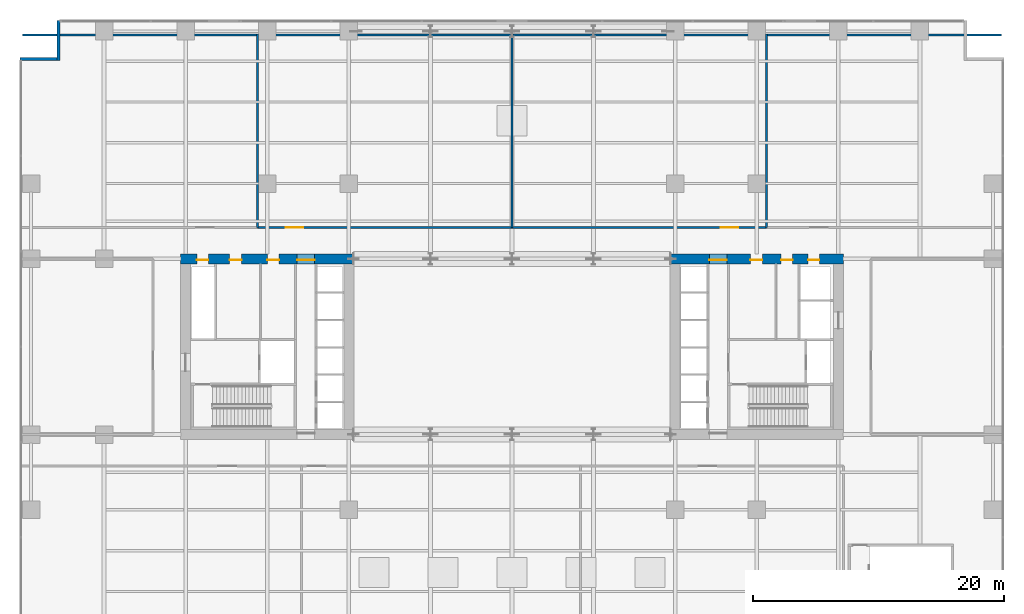
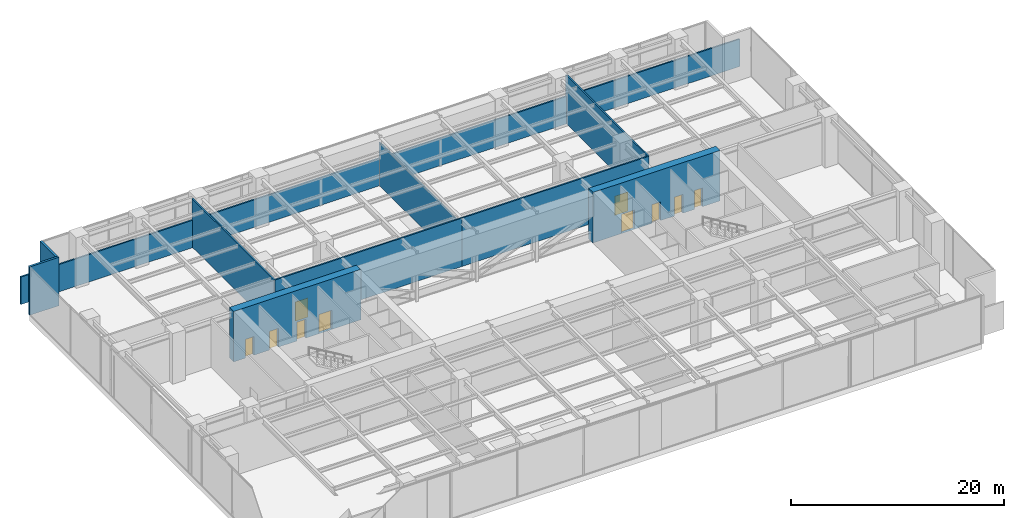
# One storey, part 21 of 25: 10 doors, 10 walls, 10 openings.
"""IFC4 building model written with IfcOpenShell, lengths in metres."""

from ifc_helpers import new_model, si_unit, direction, frame, frame_2d, origin, place, context, subcontext, project, spatial, rectangle, extrude, material, layer, layer_set, type_object, element, fill, save


model = new_model("IFC4")

# Units and contexts
model_context = context("Model", 3, precision=1e-05, world=origin(), true_north=direction((0.0, 1.0)))
body_context = subcontext(model_context, "Body", "Model", "MODEL_VIEW")
ifc_project = project(units=[si_unit("LENGTHUNIT", "METRE"), si_unit("AREAUNIT", "SQUARE_METRE"), si_unit("VOLUMEUNIT", "CUBIC_METRE"), si_unit("PLANEANGLEUNIT", "RADIAN"), si_unit("MASSUNIT", "GRAM", prefix="KILO")], contexts=[model_context])

# Site, building, storey
site_placement = place(None, origin())
site = spatial("IfcSite", under=ifc_project, at=site_placement, CompositionType="ELEMENT")
building_placement = place(site_placement, origin())
building = spatial("IfcBuilding", under=site, at=building_placement, Name="Putna Gate Headquarters", CompositionType="ELEMENT")
storey_placement = place(building_placement, frame((0.0, 0.0, 22.0)))
storey = spatial("IfcBuildingStorey", under=building, at=storey_placement, Name="L04", CompositionType="ELEMENT", Elevation=22.0)

# Wall, openings, doors
ifc_material_1 = material(Name="Concrete C60/75", Category="concrete")
ifc_layer_1 = layer(ifc_material_1, 0.800048828125)
ifc_layer_set_1 = layer_set([ifc_layer_1], Name="Concrete C60/75")
wall_type_1 = type_object("IfcWallType", Name="WALL-CORE-800", PredefinedType="SHEAR", material=ifc_layer_set_1)
wall_1_placement = place(storey_placement, frame((12.60009765625, 33.0, 0.0), z_axis=(0.0, 0.0, 1.0), x_axis=(1.0, 0.0, 0.0)))
wall_1 = element("IfcWall", 1, at=wall_1_placement, inside=storey, type_object=wall_type_1, Name="L04 WC Split Core Shear Wall N", PredefinedType="SHEAR", context=body_context, shape_type="SweptSolid", body=[
    extrude(rectangle(XDim=13.7998046875, YDim=0.800048828125, at=frame_2d((6.89990234375, 0.0))), origin(), (0.0, 0.0, 1.0), 5.800048828125),
])
opening_1_placement = place(wall_1_placement, frame((1.300048828125, 0.0, 0.0)))
opening_1 = element("IfcOpeningElement", 2, at=opening_1_placement, cuts=wall_1, Name="Opening RD-90", PredefinedType="OPENING", context=body_context, shape_type="SweptSolid", body=[
    extrude(rectangle(XDim=0.89990234375, YDim=2.14990234375, at=frame_2d((0.449951171875, 1.074951171875))), frame((0.0, 0.409912109375, 0.0), z_axis=(0.0, -1.0, 0.0), x_axis=(1.0, 0.0, 0.0)), (0.0, 0.0, 1.0), 0.820068359375),
])
opening_2_placement = place(wall_1_placement, frame((3.89990234375, 0.0, 0.0)))
opening_2 = element("IfcOpeningElement", 3, at=opening_2_placement, cuts=wall_1, Name="Opening IDS-95", PredefinedType="OPENING", context=body_context, shape_type="SweptSolid", body=[
    extrude(rectangle(XDim=0.949951171875, YDim=2.14990234375, at=frame_2d((0.47509765625, 1.074951171875))), frame((0.0, 0.409912109375, 0.0), z_axis=(0.0, -1.0, 0.0), x_axis=(1.0, 0.0, 0.0)), (0.0, 0.0, 1.0), 0.820068359375),
])
opening_3_placement = place(wall_1_placement, frame((6.89990234375, 0.0, 0.0)))
opening_3 = element("IfcOpeningElement", 4, at=opening_3_placement, cuts=wall_1, Name="Opening IDS-95", PredefinedType="OPENING", context=body_context, shape_type="SweptSolid", body=[
    extrude(rectangle(XDim=0.949951171875, YDim=2.14990234375, at=frame_2d((0.47509765625, 1.074951171875))), frame((0.0, 0.409912109375, 0.0), z_axis=(0.0, -1.0, 0.0), x_axis=(1.0, 0.0, 0.0)), (0.0, 0.0, 1.0), 0.820068359375),
])
opening_4_placement = place(wall_1_placement, frame((9.280029296875, 0.0, 0.0)))
opening_4 = element("IfcOpeningElement", 5, at=opening_4_placement, cuts=wall_1, Name="Opening FDD-140", PredefinedType="OPENING", context=body_context, shape_type="SweptSolid", body=[
    extrude(rectangle(XDim=1.39990234375, YDim=2.199951171875, at=frame_2d((0.699951171875, 1.10009765625))), frame((0.0, 0.409912109375, 0.0), z_axis=(0.0, -1.0, 0.0), x_axis=(1.0, 0.0, 0.0)), (0.0, 0.0, 1.0), 0.820068359375),
])
ifc_material_2 = material(Name="Double steel fire door", Category="steel")
door_type_1 = type_object("IfcDoorType", Name="DOOR-FIRE-DBL-1400", OperationType="DOUBLE_DOOR_SINGLE_SWING", PredefinedType="DOOR", material=ifc_material_2)
door_1_placement = place(opening_4_placement, origin())
door_1 = element("IfcDoor", 6, at=door_1_placement, inside=storey, type_object=door_type_1, Name="L04 West Lift Lobby North Door", OperationType="DOUBLE_DOOR_SINGLE_SWING", OverallHeight=2.199951171875, OverallWidth=1.39990234375, PredefinedType="DOOR", context=body_context, shape_type="SweptSolid", body=[
    extrude(rectangle(XDim=1.39990234375, YDim=2.199951171875, at=frame_2d((0.699951171875, 1.10009765625))), frame((0.0, -0.0751953125, 0.0), z_axis=(0.0, -1.0, 0.0), x_axis=(1.0, 0.0, 0.0)), (0.0, 0.0, 1.0), 0.050048828125),
])
fill(opening_4, door_1)
ifc_material_3 = material(Name="Fire-rated service timber door", Category="wood")
door_type_2 = type_object("IfcDoorType", Name="DOOR-INT-950", OperationType="NOTDEFINED", PredefinedType="DOOR", material=ifc_material_3)
door_2_placement = place(opening_2_placement, origin())
door_2 = element("IfcDoor", 7, at=door_2_placement, inside=storey, type_object=door_type_2, Name="L04 Cleaner Store Door", OperationType="SINGLE_SWING_LEFT", OverallHeight=2.14990234375, OverallWidth=0.949951171875, PredefinedType="DOOR", context=body_context, shape_type="SweptSolid", body=[
    extrude(rectangle(XDim=0.949951171875, YDim=2.14990234375, at=frame_2d((0.47509765625, 1.074951171875))), frame((0.0, -0.0751953125, 0.0), z_axis=(0.0, -1.0, 0.0), x_axis=(1.0, 0.0, 0.0)), (0.0, 0.0, 1.0), 0.050048828125),
])
fill(opening_2, door_2)
door_3_placement = place(opening_3_placement, origin())
door_3 = element("IfcDoor", 8, at=door_3_placement, inside=storey, type_object=door_type_2, Name="L04 Comms Plant Door", OperationType="SINGLE_SWING_RIGHT", OverallHeight=2.14990234375, OverallWidth=0.949951171875, PredefinedType="DOOR", context=body_context, shape_type="SweptSolid", body=[
    extrude(rectangle(XDim=0.949951171875, YDim=2.14990234375, at=frame_2d((0.47509765625, 1.074951171875))), frame((0.0, -0.0751953125, 0.0), z_axis=(0.0, -1.0, 0.0), x_axis=(1.0, 0.0, 0.0)), (0.0, 0.0, 1.0), 0.050048828125),
])
fill(opening_3, door_3)
ifc_material_4 = material(Name="Steel riser access fire door", Category="steel")
door_type_3 = type_object("IfcDoorType", Name="DOOR-RISER-900", OperationType="NOTDEFINED", PredefinedType="DOOR", material=ifc_material_4)
door_4_placement = place(opening_1_placement, origin())
door_4 = element("IfcDoor", 9, at=door_4_placement, inside=storey, type_object=door_type_3, Name="L04 West Riser Access Door", OperationType="SINGLE_SWING_RIGHT", OverallHeight=2.14990234375, OverallWidth=0.89990234375, PredefinedType="DOOR", context=body_context, shape_type="SweptSolid", body=[
    extrude(rectangle(XDim=0.89990234375, YDim=2.14990234375, at=frame_2d((0.449951171875, 1.074951171875))), frame((0.0, -0.0751953125, 0.0), z_axis=(0.0, -1.0, 0.0), x_axis=(1.0, 0.0, 0.0)), (0.0, 0.0, 1.0), 0.050048828125),
])
fill(opening_1, door_4)

wall_2_placement = place(storey_placement, frame((51.60009765625, 33.0, 0.0), z_axis=(0.0, 0.0, 1.0), x_axis=(1.0, 0.0, 0.0)))
wall_2 = element("IfcWall", 10, at=wall_2_placement, inside=storey, type_object=wall_type_1, Name="L04 EC Split Core Shear Wall N", PredefinedType="SHEAR", context=body_context, shape_type="SweptSolid", body=[
    extrude(rectangle(XDim=13.7998046875, YDim=0.800048828125, at=frame_2d((6.89990234375, 0.0))), origin(), (0.0, 0.0, 1.0), 5.800048828125),
])
opening_5_placement = place(wall_2_placement, frame((3.1201171875, 0.0, 0.0)))
opening_5 = element("IfcOpeningElement", 11, at=opening_5_placement, cuts=wall_2, Name="Opening FDD-140", PredefinedType="OPENING", context=body_context, shape_type="SweptSolid", body=[
    extrude(rectangle(XDim=1.39990234375, YDim=2.199951171875, at=frame_2d((0.699951171875, 1.10009765625))), frame((0.0, 0.409912109375, 0.0), z_axis=(0.0, -1.0, 0.0), x_axis=(1.0, 0.0, 0.0)), (0.0, 0.0, 1.0), 0.820068359375),
])
opening_6_placement = place(wall_2_placement, frame((11.0, 0.0, 0.0)))
opening_6 = element("IfcOpeningElement", 12, at=opening_6_placement, cuts=wall_2, Name="Opening RD-90", PredefinedType="OPENING", context=body_context, shape_type="SweptSolid", body=[
    extrude(rectangle(XDim=0.89990234375, YDim=2.14990234375, at=frame_2d((0.449951171875, 1.074951171875))), frame((0.0, 0.409912109375, 0.0), z_axis=(0.0, -1.0, 0.0), x_axis=(1.0, 0.0, 0.0)), (0.0, 0.0, 1.0), 0.820068359375),
])
opening_7_placement = place(wall_2_placement, frame((6.39990234375, 0.0, 0.0)))
opening_7 = element("IfcOpeningElement", 13, at=opening_7_placement, cuts=wall_2, Name="Opening IDS-95", PredefinedType="OPENING", context=body_context, shape_type="SweptSolid", body=[
    extrude(rectangle(XDim=0.949951171875, YDim=2.14990234375, at=frame_2d((0.47509765625, 1.074951171875))), frame((0.0, 0.409912109375, 0.0), z_axis=(0.0, -1.0, 0.0), x_axis=(1.0, 0.0, 0.0)), (0.0, 0.0, 1.0), 0.820068359375),
])
opening_8_placement = place(wall_2_placement, frame((8.85009765625, 0.0, 0.0)))
opening_8 = element("IfcOpeningElement", 14, at=opening_8_placement, cuts=wall_2, Name="Opening IDS-90", PredefinedType="OPENING", context=body_context, shape_type="SweptSolid", body=[
    extrude(rectangle(XDim=0.89990234375, YDim=2.14990234375, at=frame_2d((0.449951171875, 1.074951171875))), frame((0.0, 0.409912109375, 0.0), z_axis=(0.0, -1.0, 0.0), x_axis=(1.0, 0.0, 0.0)), (0.0, 0.0, 1.0), 0.820068359375),
])
door_5_placement = place(opening_5_placement, origin())
door_5 = element("IfcDoor", 15, at=door_5_placement, inside=storey, type_object=door_type_1, Name="L04 East Lift Lobby North Door", OperationType="DOUBLE_DOOR_SINGLE_SWING", OverallHeight=2.199951171875, OverallWidth=1.39990234375, PredefinedType="DOOR", context=body_context, shape_type="SweptSolid", body=[
    extrude(rectangle(XDim=1.39990234375, YDim=2.199951171875, at=frame_2d((0.699951171875, 1.10009765625))), frame((0.0, -0.0751953125, 0.0), z_axis=(0.0, -1.0, 0.0), x_axis=(1.0, 0.0, 0.0)), (0.0, 0.0, 1.0), 0.050048828125),
])
fill(opening_5, door_5)
ifc_material_5 = material(Name="Fire-rated utility door")
door_type_4 = type_object("IfcDoorType", Name="DOOR-INT-900", OperationType="NOTDEFINED", PredefinedType="DOOR", material=ifc_material_5)
door_6_placement = place(opening_8_placement, origin())
door_6 = element("IfcDoor", 16, at=door_6_placement, inside=storey, type_object=door_type_4, Name="L04 Electrical Plant Door", OperationType="SINGLE_SWING_LEFT", OverallHeight=2.14990234375, OverallWidth=0.89990234375, PredefinedType="DOOR", context=body_context, shape_type="SweptSolid", body=[
    extrude(rectangle(XDim=0.89990234375, YDim=2.14990234375, at=frame_2d((0.449951171875, 1.074951171875))), frame((0.0, -0.0751953125, 0.0), z_axis=(0.0, -1.0, 0.0), x_axis=(1.0, 0.0, 0.0)), (0.0, 0.0, 1.0), 0.050048828125),
])
fill(opening_8, door_6)
door_7_placement = place(opening_7_placement, origin())
door_7 = element("IfcDoor", 17, at=door_7_placement, inside=storey, type_object=door_type_2, Name="L04 East Store Door", OperationType="SINGLE_SWING_RIGHT", OverallHeight=2.14990234375, OverallWidth=0.949951171875, PredefinedType="DOOR", context=body_context, shape_type="SweptSolid", body=[
    extrude(rectangle(XDim=0.949951171875, YDim=2.14990234375, at=frame_2d((0.47509765625, 1.074951171875))), frame((0.0, -0.0751953125, 0.0), z_axis=(0.0, -1.0, 0.0), x_axis=(1.0, 0.0, 0.0)), (0.0, 0.0, 1.0), 0.050048828125),
])
fill(opening_7, door_7)
door_8_placement = place(opening_6_placement, origin())
door_8 = element("IfcDoor", 18, at=door_8_placement, inside=storey, type_object=door_type_3, Name="L04 East Riser Access Door", OperationType="SINGLE_SWING_LEFT", OverallHeight=2.14990234375, OverallWidth=0.89990234375, PredefinedType="DOOR", context=body_context, shape_type="SweptSolid", body=[
    extrude(rectangle(XDim=0.89990234375, YDim=2.14990234375, at=frame_2d((0.449951171875, 1.074951171875))), frame((0.0, -0.0751953125, 0.0), z_axis=(0.0, -1.0, 0.0), x_axis=(1.0, 0.0, 0.0)), (0.0, 0.0, 1.0), 0.050048828125),
])
fill(opening_6, door_8)

# Walls
ifc_material_6 = material(Name="Precast concrete C40/50", Category="concrete")
ifc_layer_2 = layer(ifc_material_6, 0.239990234375)
ifc_layer_set_2 = layer_set([ifc_layer_2], Name="Precast concrete C40/50")
wall_type_2 = type_object("IfcWallType", Name="WALL-EXT-TERR-240", PredefinedType="STANDARD", material=ifc_layer_set_2)
for number, where, z_axis, x_axis, name in (
    (19, (2.8798828125, 48.800048828125, 0.0), (0.0, 0.0, 1.0), (0.0, 1.0, 0.0), "L04 Corner Notch Return Wall NW-V"),
    (20, (-0.199951171875, 48.919921875, 0.0), (0.0, 0.0, 1.0), (1.0, 0.0, 0.0), "L04 Corner Notch Return Wall NW-H"),
):
    element("IfcWall", number, at=place(storey_placement, frame(where, z_axis=z_axis, x_axis=x_axis)), inside=storey, type_object=wall_type_2, Name=name, PredefinedType="STANDARD", context=body_context, shape_type="SweptSolid", body=[
        extrude(rectangle(XDim=3.199951171875, YDim=0.239990234375, at=frame_2d((1.60009765625, 0.0))), origin(), (0.0, 0.0, 1.0), 5.550048828125),
    ])
ifc_material_7 = material(Name="Concrete C40/50", Category="concrete")
ifc_layer_3 = layer(ifc_material_7, 0.159912109375)
ifc_layer_set_3 = layer_set([ifc_layer_3], Name="Concrete C40/50")
wall_type_3 = type_object("IfcWallType", Name="WALL-SHAFT-160", PredefinedType="STANDARD", material=ifc_layer_set_3)
wall_3_placement = place(storey_placement, frame((-0.02001953125, 50.830078125, 0.0), z_axis=(0.0, 0.0, 1.0), x_axis=(1.0, 0.0, 0.0)))
element("IfcWall", 21, at=wall_3_placement, inside=storey, type_object=wall_type_3, Name="L04 Interior Wall PART-L04-BELT-N", PredefinedType="STANDARD", context=body_context, shape_type="SweptSolid", body=[
    extrude(rectangle(XDim=78.0400390625, YDim=0.159912109375, at=frame_2d((39.02001953125, 0.0))), origin(), (0.0, 0.0, 1.0), 3.14990234375),
])
wall_4_placement = place(storey_placement, frame((18.709716796875, 35.5, 0.0), z_axis=(0.0, 0.0, 1.0), x_axis=(0.0, 1.0, 0.0)))
element("IfcWall", 22, at=wall_4_placement, inside=storey, type_object=wall_type_3, Name="L04 Interior Wall PART-L04-PN-DIV1", PredefinedType="STANDARD", context=body_context, shape_type="SweptSolid", body=[
    extrude(rectangle(XDim=15.409912109375, YDim=0.159912109375, at=frame_2d((7.705078125, 0.0))), origin(), (0.0, 0.0, 1.0), 5.550048828125),
])
wall_5_placement = place(storey_placement, frame((39.0, 35.5, 0.0), z_axis=(0.0, 0.0, 1.0), x_axis=(0.0, 1.0, 0.0)))
element("IfcWall", 23, at=wall_5_placement, inside=storey, type_object=wall_type_3, Name="L04 Interior Wall PART-L04-PN-DIV2", PredefinedType="STANDARD", context=body_context, shape_type="SweptSolid", body=[
    extrude(rectangle(XDim=15.409912109375, YDim=0.159912109375, at=frame_2d((7.705078125, 0.0))), origin(), (0.0, 0.0, 1.0), 4.89990234375),
])

# Wall, opening, door
wall_6_placement = place(storey_placement, frame((18.709716796875, 35.5, 0.0), z_axis=(0.0, 0.0, 1.0), x_axis=(1.0, 0.0, 0.0)))
wall_6 = element("IfcWall", 24, at=wall_6_placement, inside=storey, type_object=wall_type_3, Name="L04 Interior Wall PART-L04-PN-CW2", PredefinedType="STANDARD", context=body_context, shape_type="SweptSolid", body=[
    extrude(rectangle(XDim=20.290283203125, YDim=0.159912109375, at=frame_2d((10.14501953125, 0.0))), origin(), (0.0, 0.0, 1.0), 5.550048828125),
])
opening_9_placement = place(wall_6_placement, frame((2.2451171875, 0.0, 0.0)))
opening_9 = element("IfcOpeningElement", 25, at=opening_9_placement, cuts=wall_6, Name="Opening FDD-140", PredefinedType="OPENING", context=body_context, shape_type="SweptSolid", body=[
    extrude(rectangle(XDim=1.39990234375, YDim=2.199951171875, at=frame_2d((0.699951171875, 1.10009765625))), frame((0.0, 0.08984375, 0.0), z_axis=(0.0, -1.0, 0.0), x_axis=(1.0, 0.0, 0.0)), (0.0, 0.0, 1.0), 0.179931640625),
])
door_9_placement = place(opening_9_placement, origin())
door_9 = element("IfcDoor", 26, at=door_9_placement, inside=storey, type_object=door_type_1, Name="L04 Chiller and Heat Exchanger Plant Room Door", OperationType="DOUBLE_DOOR_SINGLE_SWING", OverallHeight=2.199951171875, OverallWidth=1.39990234375, PredefinedType="DOOR", context=body_context, shape_type="SweptSolid", body=[
    extrude(rectangle(XDim=1.39990234375, YDim=2.199951171875, at=frame_2d((0.699951171875, 1.10009765625))), frame((0.0, 0.02490234375, 0.0), z_axis=(0.0, -1.0, 0.0), x_axis=(1.0, 0.0, 0.0)), (0.0, 0.0, 1.0), 0.050048828125),
])
fill(opening_9, door_9)

# Wall
wall_7_placement = place(storey_placement, frame((59.290283203125, 35.5, 0.0), z_axis=(0.0, 0.0, 1.0), x_axis=(0.0, 1.0, 0.0)))
element("IfcWall", 27, at=wall_7_placement, inside=storey, type_object=wall_type_3, Name="L04 Interior Wall PART-L04-PN-DIV3", PredefinedType="STANDARD", context=body_context, shape_type="SweptSolid", body=[
    extrude(rectangle(XDim=15.409912109375, YDim=0.159912109375, at=frame_2d((7.705078125, 0.0))), origin(), (0.0, 0.0, 1.0), 5.550048828125),
])

# Wall, opening, door
wall_8_placement = place(storey_placement, frame((39.0, 35.5, 0.0), z_axis=(0.0, 0.0, 1.0), x_axis=(1.0, 0.0, 0.0)))
wall_8 = element("IfcWall", 28, at=wall_8_placement, inside=storey, type_object=wall_type_3, Name="L04 Interior Wall PART-L04-PN-CW3", PredefinedType="STANDARD", context=body_context, shape_type="SweptSolid", body=[
    extrude(rectangle(XDim=20.290283203125, YDim=0.159912109375, at=frame_2d((10.14501953125, 0.0))), origin(), (0.0, 0.0, 1.0), 5.550048828125),
])
opening_10_placement = place(wall_8_placement, frame((16.645263671875, 0.0, 0.0)))
opening_10 = element("IfcOpeningElement", 29, at=opening_10_placement, cuts=wall_8, Name="Opening FDD-140", PredefinedType="OPENING", context=body_context, shape_type="SweptSolid", body=[
    extrude(rectangle(XDim=1.39990234375, YDim=2.199951171875, at=frame_2d((0.699951171875, 1.10009765625))), frame((0.0, 0.08984375, 0.0), z_axis=(0.0, -1.0, 0.0), x_axis=(1.0, 0.0, 0.0)), (0.0, 0.0, 1.0), 0.179931640625),
])
door_10_placement = place(opening_10_placement, origin())
door_10 = element("IfcDoor", 30, at=door_10_placement, inside=storey, type_object=door_type_1, Name="L04 HV and LV Switchgear Plant Room Door", OperationType="DOUBLE_DOOR_SINGLE_SWING", OverallHeight=2.199951171875, OverallWidth=1.39990234375, PredefinedType="DOOR", context=body_context, shape_type="SweptSolid", body=[
    extrude(rectangle(XDim=1.39990234375, YDim=2.199951171875, at=frame_2d((0.699951171875, 1.10009765625))), frame((0.0, 0.02490234375, 0.0), z_axis=(0.0, -1.0, 0.0), x_axis=(1.0, 0.0, 0.0)), (0.0, 0.0, 1.0), 0.050048828125),
])
fill(opening_10, door_10)

save(model, "model.ifc")
